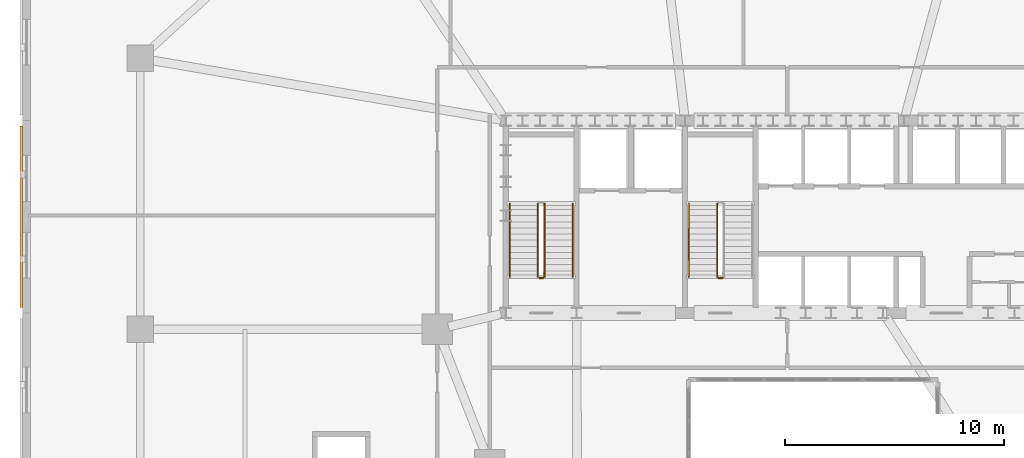
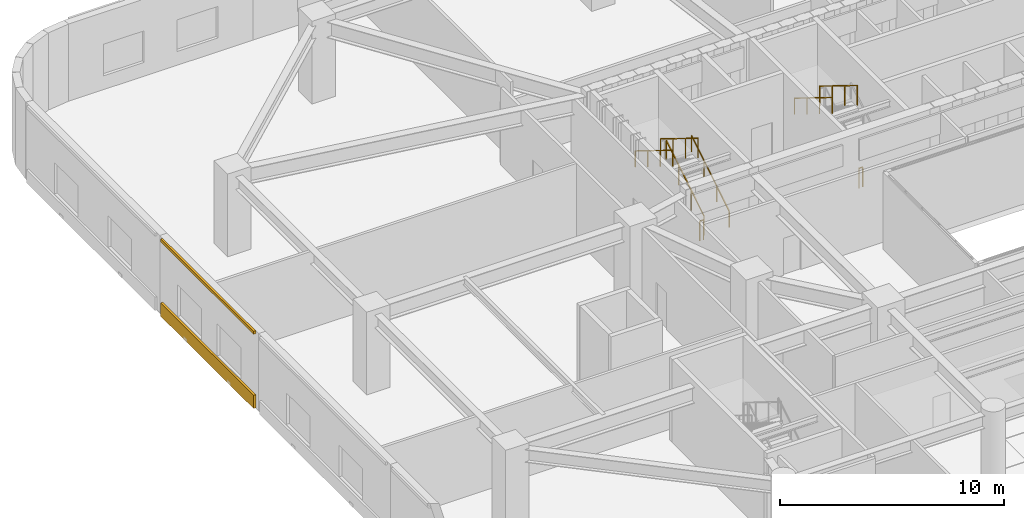
# One storey, part 20 of 25: 8 railings, 2 coverings.
"""IFC4 building model written with IfcOpenShell, lengths in metres."""

from ifc_helpers import new_model, si_unit, direction, frame, origin, origin_2d, place, context, subcontext, project, spatial, polyline, rectangle, outline, extrude, material, layer, layer_set, type_object, element, save


model = new_model("IFC4")

# Units and contexts
model_context = context("Model", 3, precision=1e-05, world=origin(), true_north=direction((0.0, 1.0)))
body_context = subcontext(model_context, "Body", "Model", "MODEL_VIEW")
ifc_project = project(units=[si_unit("LENGTHUNIT", "METRE"), si_unit("AREAUNIT", "SQUARE_METRE"), si_unit("VOLUMEUNIT", "CUBIC_METRE"), si_unit("PLANEANGLEUNIT", "RADIAN"), si_unit("MASSUNIT", "GRAM", prefix="KILO")], contexts=[model_context])

# Site, building, storey
site_placement = place(None, origin())
site = spatial("IfcSite", under=ifc_project, at=site_placement, CompositionType="ELEMENT")
building_placement = place(site_placement, origin())
building = spatial("IfcBuilding", under=site, at=building_placement, Name="Haldorwick Loom Tower", CompositionType="ELEMENT")
storey_placement = place(building_placement, frame((0.0, 0.0, 15.0)))
storey = spatial("IfcBuildingStorey", under=building, at=storey_placement, Name="L03", CompositionType="ELEMENT", Elevation=15.0)

# Coverings
ifc_material_1 = material(Name="Corbelled Pressed Clay Face Brick Veneer", Category="masonry")
ifc_layer = layer(ifc_material_1, 0.110107421875, Name="Corbelled Pressed Clay Face Brick Veneer", Category="masonry")
ifc_layer_set = layer_set([ifc_layer], Name="Corbelled Pressed Clay Face Brick Veneer")
covering_type = type_object("IfcCoveringType", Name="ARC-COV-BRICK110", PredefinedType="CLADDING", material=ifc_layer_set)
covering_1_placement = place(storey_placement, origin())
element("IfcCovering", 1, at=covering_1_placement, inside=storey, type_object=covering_type, Name="L03 Sill Face-Brick Spandrel 29", PredefinedType="CLADDING", context=body_context, shape_type="SweptSolid", body=[
    extrude(outline(polyline([(-0.2900390625, 35.300048828125), (-0.2900390625, 27.0), (-0.179931640625, 27.0), (-0.179931640625, 35.300048828125), (-0.2900390625, 35.300048828125)])), origin(), (0.0, 0.0, 1.0), 0.719970703125),
])
covering_2_placement = place(storey_placement, frame((0.0, 0.0, 4.0400390625)))
element("IfcCovering", 2, at=covering_2_placement, inside=storey, type_object=covering_type, Name="L03 Head Face-Brick Lintel Band 29", PredefinedType="CLADDING", context=body_context, shape_type="SweptSolid", body=[
    extrude(outline(polyline([(-0.2900390625, 35.300048828125), (-0.2900390625, 27.0), (-0.179931640625, 27.0), (-0.179931640625, 35.300048828125), (-0.2900390625, 35.300048828125)])), origin(), (0.0, 0.0, 1.0), 0.159912109375),
])

# Railings
ifc_material_2 = material(Name="Steel CSA G40.21 350W", Category="steel")
railing_type_1 = type_object("IfcRailingType", Name="ARC-RLG-GUARD112", PredefinedType="GUARDRAIL", material=ifc_material_2)
railing_1_placement = place(storey_placement, frame((23.699951171875, 28.39990234375, 0.173095703125)))
element("IfcRailing", 3, at=railing_1_placement, inside=storey, type_object=railing_type_1, Name="L03 ST-01 stair guard 1", PredefinedType="GUARDRAIL", context=body_context, shape_type="SweptSolid", body=[
    extrude(rectangle(XDim=0.048095703125, YDim=0.048095703125, at=origin_2d()), frame((0.0, 0.0, 1.076171875), z_axis=(0.0, 0.850623216509, 0.525775754039), x_axis=(-1.0, 0.0, 0.0)), (0.0, 0.0, 1.0), 3.9501953125),
    extrude(rectangle(XDim=0.0419921875, YDim=0.0419921875, at=origin_2d()), origin(), (0.0, 0.0, 1.0), 1.052001953125),
    extrude(rectangle(XDim=0.0419921875, YDim=0.0419921875, at=origin_2d()), frame((0.0, 1.1201171875, 0.6923828125)), (0.0, 0.0, 1.0), 1.052001953125),
    extrude(rectangle(XDim=0.0419921875, YDim=0.0419921875, at=origin_2d()), frame((0.0, 2.239990234375, 1.384521484375)), (0.0, 0.0, 1.0), 1.052001953125),
    extrude(rectangle(XDim=0.0419921875, YDim=0.0419921875, at=origin_2d()), frame((0.0, 3.360107421875, 2.076904296875)), (0.0, 0.0, 1.0), 1.052001953125),
])
railing_2_placement = place(storey_placement, frame((23.39990234375, 31.760009765625, 2.423095703125)))
element("IfcRailing", 4, at=railing_2_placement, inside=storey, type_object=railing_type_1, Name="L03 ST-01 stair guard 3", PredefinedType="GUARDRAIL", context=body_context, shape_type="SweptSolid", body=[
    extrude(rectangle(XDim=0.048095703125, YDim=0.048095703125, at=origin_2d()), frame((0.0, 0.0, 1.076171875), z_axis=(0.0, -0.850623216509, 0.525775754039), x_axis=(1.0, 0.0, 0.0)), (0.0, 0.0, 1.0), 3.9501953125),
    extrude(rectangle(XDim=0.0419921875, YDim=0.0419921875, at=origin_2d()), origin(), (0.0, 0.0, 1.0), 1.052001953125),
    extrude(rectangle(XDim=0.0419921875, YDim=0.0419921875, at=origin_2d()), frame((0.0, -1.1201171875, 0.6923828125)), (0.0, 0.0, 1.0), 1.052001953125),
    extrude(rectangle(XDim=0.0419921875, YDim=0.0419921875, at=origin_2d()), frame((0.0, -2.239990234375, 1.384521484375)), (0.0, 0.0, 1.0), 1.052001953125),
    extrude(rectangle(XDim=0.0419921875, YDim=0.0419921875, at=origin_2d()), frame((0.0, -3.360107421875, 2.076904296875)), (0.0, 0.0, 1.0), 1.052001953125),
])
railing_3_placement = place(storey_placement, frame((23.64990234375, 28.35009765625, 0.0)))
element("IfcRailing", 5, at=railing_3_placement, inside=storey, type_object=railing_type_1, Name="L03 ST-01 stair guard 4", PredefinedType="GUARDRAIL", context=body_context, shape_type="SweptSolid", body=[
    extrude(rectangle(XDim=0.048095703125, YDim=0.048095703125, at=origin_2d()), frame((0.0, 0.0, 1.076171875), z_axis=(-1.0, 0.0, 0.0), x_axis=(0.0, -1.0, 0.0)), (0.0, 0.0, 1.0), 0.199951171875),
    extrude(rectangle(XDim=0.0419921875, YDim=0.0419921875, at=origin_2d()), origin(), (0.0, 0.0, 1.0), 1.052001953125),
    extrude(rectangle(XDim=0.0419921875, YDim=0.0419921875, at=origin_2d()), frame((-0.199951171875, 0.0, 0.0)), (0.0, 0.0, 1.0), 1.052001953125),
])
railing_4_placement = place(storey_placement, frame((31.60009765625, 31.760009765625, 2.423095703125)))
element("IfcRailing", 6, at=railing_4_placement, inside=storey, type_object=railing_type_1, Name="L03 ST-03 stair guard 3", PredefinedType="GUARDRAIL", context=body_context, shape_type="SweptSolid", body=[
    extrude(rectangle(XDim=0.048095703125, YDim=0.048095703125, at=origin_2d()), frame((0.0, 0.0, 1.076171875), z_axis=(0.0, -0.850623216509, 0.525775754039), x_axis=(1.0, 0.0, 0.0)), (0.0, 0.0, 1.0), 3.9501953125),
    extrude(rectangle(XDim=0.0419921875, YDim=0.0419921875, at=origin_2d()), origin(), (0.0, 0.0, 1.0), 1.052001953125),
    extrude(rectangle(XDim=0.0419921875, YDim=0.0419921875, at=origin_2d()), frame((0.0, -1.1201171875, 0.6923828125)), (0.0, 0.0, 1.0), 1.052001953125),
    extrude(rectangle(XDim=0.0419921875, YDim=0.0419921875, at=origin_2d()), frame((0.0, -2.239990234375, 1.384521484375)), (0.0, 0.0, 1.0), 1.052001953125),
    extrude(rectangle(XDim=0.0419921875, YDim=0.0419921875, at=origin_2d()), frame((0.0, -3.360107421875, 2.076904296875)), (0.0, 0.0, 1.0), 1.052001953125),
])
railing_5_placement = place(storey_placement, frame((31.85009765625, 28.35009765625, 0.0)))
element("IfcRailing", 7, at=railing_5_placement, inside=storey, type_object=railing_type_1, Name="L03 ST-03 stair guard 4", PredefinedType="GUARDRAIL", context=body_context, shape_type="SweptSolid", body=[
    extrude(rectangle(XDim=0.048095703125, YDim=0.048095703125, at=origin_2d()), frame((0.0, 0.0, 1.076171875), z_axis=(-1.0, 0.0, 0.0), x_axis=(0.0, -1.0, 0.0)), (0.0, 0.0, 1.0), 0.2001953125),
    extrude(rectangle(XDim=0.0419921875, YDim=0.0419921875, at=origin_2d()), origin(), (0.0, 0.0, 1.0), 1.052001953125),
    extrude(rectangle(XDim=0.0419921875, YDim=0.0419921875, at=origin_2d()), frame((-0.2001953125, 0.0, 0.0)), (0.0, 0.0, 1.0), 1.052001953125),
])
railing_type_2 = type_object("IfcRailingType", Name="ARC-RLG-HAND092", PredefinedType="HANDRAIL", material=ifc_material_2)
railing_6_placement = place(storey_placement, frame((25.0, 28.39990234375, 0.173095703125)))
element("IfcRailing", 8, at=railing_6_placement, inside=storey, type_object=railing_type_2, Name="L03 ST-01 stair handrail 1", PredefinedType="HANDRAIL", context=body_context, shape_type="SweptSolid", body=[
    extrude(rectangle(XDim=0.048095703125, YDim=0.048095703125, at=origin_2d()), frame((0.0, 0.0, 0.8759765625), z_axis=(0.0, 0.850623216509, 0.525775754039), x_axis=(-1.0, 0.0, 0.0)), (0.0, 0.0, 1.0), 3.9501953125),
    extrude(rectangle(XDim=0.0419921875, YDim=0.0419921875, at=origin_2d()), origin(), (0.0, 0.0, 1.0), 0.851806640625),
    extrude(rectangle(XDim=0.0419921875, YDim=0.0419921875, at=origin_2d()), frame((0.0, 1.1201171875, 0.6923828125)), (0.0, 0.0, 1.0), 0.851806640625),
    extrude(rectangle(XDim=0.0419921875, YDim=0.0419921875, at=origin_2d()), frame((0.0, 2.239990234375, 1.384521484375)), (0.0, 0.0, 1.0), 0.851806640625),
    extrude(rectangle(XDim=0.0419921875, YDim=0.0419921875, at=origin_2d()), frame((0.0, 3.360107421875, 2.076904296875)), (0.0, 0.0, 1.0), 0.851806640625),
])
for number, where, name in (
    (9, (22.10009765625, 31.760009765625, 2.423095703125), "L03 ST-01 stair handrail 2"),
    (10, (30.300048828125, 31.760009765625, 2.423095703125), "L03 ST-03 stair handrail 2"),
):
    element("IfcRailing", number, at=place(storey_placement, frame(where)), inside=storey, type_object=railing_type_2, Name=name, PredefinedType="HANDRAIL", context=body_context, shape_type="SweptSolid", body=[
        extrude(rectangle(XDim=0.048095703125, YDim=0.048095703125, at=origin_2d()), frame((0.0, 0.0, 0.8759765625), z_axis=(0.0, -0.850623216509, 0.525775754039), x_axis=(1.0, 0.0, 0.0)), (0.0, 0.0, 1.0), 3.9501953125),
        extrude(rectangle(XDim=0.0419921875, YDim=0.0419921875, at=origin_2d()), origin(), (0.0, 0.0, 1.0), 0.851806640625),
        extrude(rectangle(XDim=0.0419921875, YDim=0.0419921875, at=origin_2d()), frame((0.0, -1.1201171875, 0.6923828125)), (0.0, 0.0, 1.0), 0.851806640625),
        extrude(rectangle(XDim=0.0419921875, YDim=0.0419921875, at=origin_2d()), frame((0.0, -2.239990234375, 1.384521484375)), (0.0, 0.0, 1.0), 0.851806640625),
        extrude(rectangle(XDim=0.0419921875, YDim=0.0419921875, at=origin_2d()), frame((0.0, -3.360107421875, 2.076904296875)), (0.0, 0.0, 1.0), 0.851806640625),
    ])

save(model, "model.ifc")
